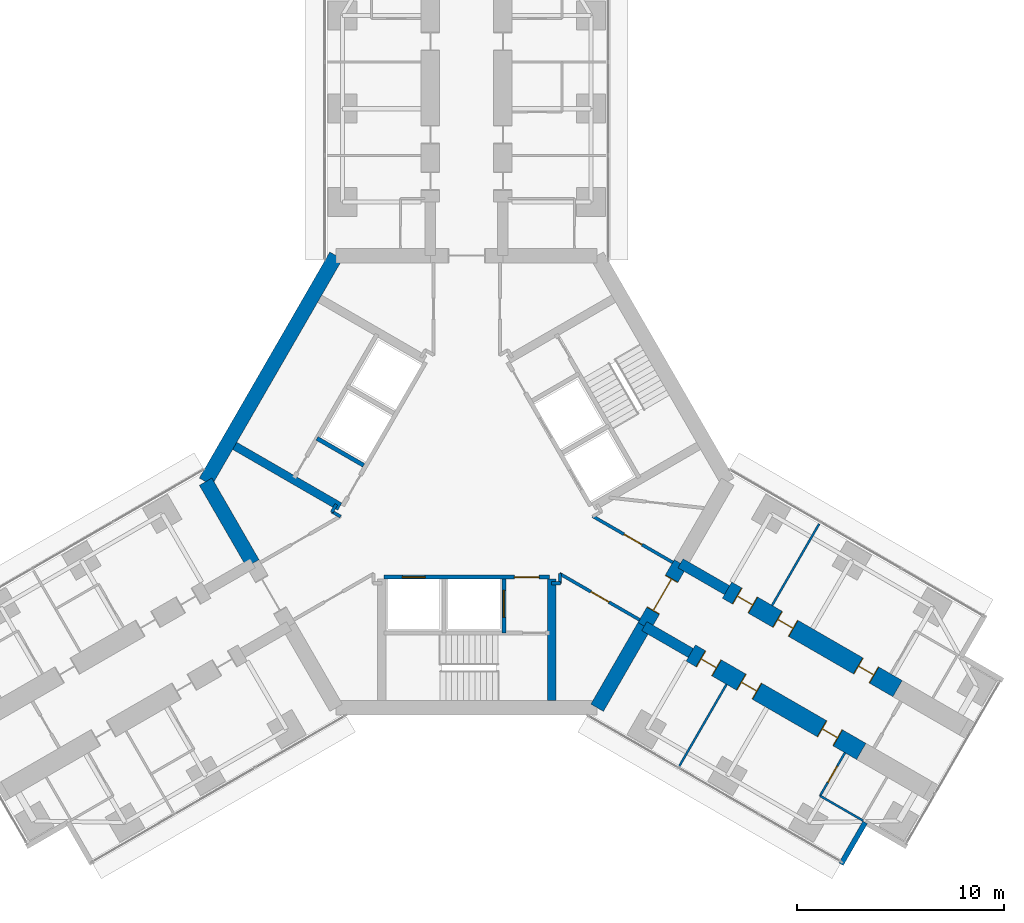
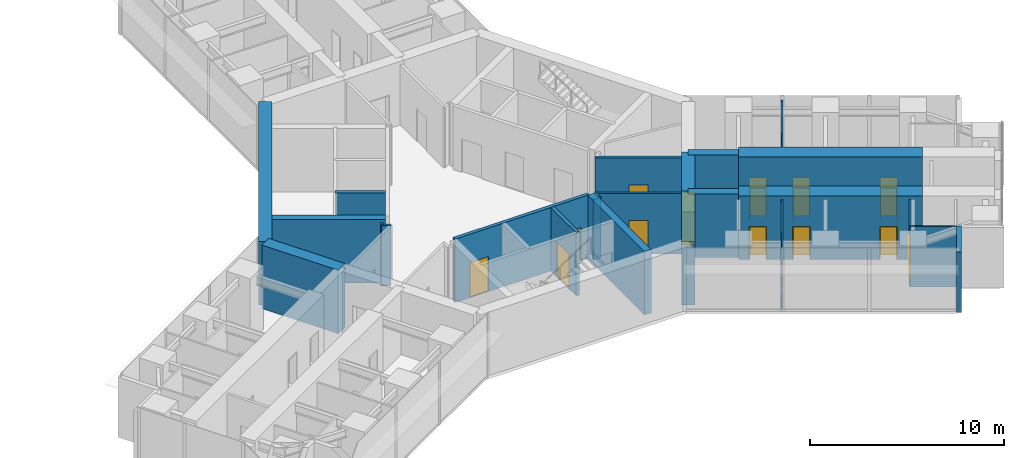
# One storey, part 21 of 25: 24 walls, 13 doors, 13 openings.
"""IFC4 building model written with IfcOpenShell, lengths in metres."""

from ifc_helpers import new_model, si_unit, direction, frame, frame_2d, origin, place, context, subcontext, project, spatial, rectangle, extrude, material, layer, layer_set, type_object, element, fill, save


model = new_model("IFC4")

# Units and contexts
model_context = context("Model", 3, precision=1e-05, world=origin(), true_north=direction((0.0, 1.0)))
body_context = subcontext(model_context, "Body", "Model", "MODEL_VIEW")
ifc_project = project(units=[si_unit("LENGTHUNIT", "METRE"), si_unit("AREAUNIT", "SQUARE_METRE"), si_unit("VOLUMEUNIT", "CUBIC_METRE"), si_unit("PLANEANGLEUNIT", "RADIAN"), si_unit("MASSUNIT", "GRAM", prefix="KILO")], contexts=[model_context])

# Site, building, storey
site_placement = place(None, origin())
site = spatial("IfcSite", under=ifc_project, at=site_placement, CompositionType="ELEMENT")
building_placement = place(site_placement, origin())
building = spatial("IfcBuilding", under=site, at=building_placement, Name="Upepo Twin Towers", CompositionType="ELEMENT")
storey_placement = place(building_placement, frame((0.0, 0.0, 72.5)))
storey = spatial("IfcBuildingStorey", under=building, at=storey_placement, Name="L17", CompositionType="ELEMENT", Elevation=72.5)

# Walls
ifc_material_1 = material(Name="Concrete C60/75", Category="concrete")
ifc_layer_1 = layer(ifc_material_1, 0.5)
ifc_layer_set_1 = layer_set([ifc_layer_1], Name="Concrete C60/75")
wall_type_1 = type_object("IfcWallType", Name="Buttress wall 500 RC", PredefinedType="SHEAR", material=ifc_layer_set_1)
for number, where, z_axis, x_axis, name in (
    (1, (68.82177734375, -21.938720703125, 0.0), (0.0, 0.0, 1.0), (0.866072649678, -0.499918158782, 0.0), "T2 wing C buttress wall L"),
    (2, (67.07177734375, -24.9697265625, 0.0), (0.0, 0.0, 1.0), (0.866031863473, -0.499988811324, 0.0), "T2 wing C buttress wall R"),
):
    element("IfcWall", number, at=place(storey_placement, frame(where, z_axis=z_axis, x_axis=x_axis)), inside=storey, type_object=wall_type_1, Name=name, PredefinedType="SHEAR", context=body_context, shape_type="SweptSolid", body=[
        extrude(rectangle(XDim=2.591796875, YDim=0.5, at=frame_2d((1.2958984375, 0.0))), origin(), (0.0, 0.0, 1.0), 4.0),
    ])

# Wall, openings, doors
ifc_material_2 = material(Name="Concrete C60/75", Category="concrete")
ifc_layer_2 = layer(ifc_material_2, 0.89990234375)
ifc_layer_set_2 = layer_set([ifc_layer_2], Name="Concrete C60/75")
wall_type_2 = type_object("IfcWallType", Name="Buttress wall 900 RC", PredefinedType="SHEAR", material=ifc_layer_set_2)
wall_1_placement = place(storey_placement, frame((71.06640625, -23.234375, 0.0), z_axis=(0.0, 0.0, 1.0), x_axis=(0.86602681393, -0.499997557548, 0.0)))
wall_1 = element("IfcWall", 3, at=wall_1_placement, inside=storey, type_object=wall_type_2, Name="T2 wing C buttress wall L part 2", PredefinedType="SHEAR", context=body_context, shape_type="SweptSolid", body=[
    extrude(rectangle(XDim=9.5, YDim=0.89990234375, at=frame_2d((4.75, 0.0))), origin(), (0.0, 0.0, 1.0), 4.0),
])
opening_1_placement = place(wall_1_placement, frame((0.550048828125, 0.0, 0.0)))
opening_1 = element("IfcOpeningElement", 4, at=opening_1_placement, cuts=wall_1, Name="Opening D14", PredefinedType="OPENING", context=body_context, shape_type="SweptSolid", body=[
    extrude(rectangle(XDim=0.89990234375, YDim=2.10009765625, at=frame_2d((0.449951171875, 1.050048828125))), frame((0.0, 0.4599609375, 0.0), z_axis=(0.0, -1.0, 0.0), x_axis=(1.0, 0.0, 0.0)), (0.0, 0.0, 1.0), 0.919921875),
])
opening_2_placement = place(wall_1_placement, frame((2.800048828125, 0.0, 0.0)))
opening_2 = element("IfcOpeningElement", 5, at=opening_2_placement, cuts=wall_1, Name="Opening D14", PredefinedType="OPENING", context=body_context, shape_type="SweptSolid", body=[
    extrude(rectangle(XDim=0.89990234375, YDim=2.10009765625, at=frame_2d((0.449951171875, 1.050048828125))), frame((0.0, 0.4599609375, 0.0), z_axis=(0.0, -1.0, 0.0), x_axis=(1.0, 0.0, 0.0)), (0.0, 0.0, 1.0), 0.919921875),
])
opening_3_placement = place(wall_1_placement, frame((7.300048828125, 0.0, 0.0)))
opening_3 = element("IfcOpeningElement", 6, at=opening_3_placement, cuts=wall_1, Name="Opening D14", PredefinedType="OPENING", context=body_context, shape_type="SweptSolid", body=[
    extrude(rectangle(XDim=0.89990234375, YDim=2.10009765625, at=frame_2d((0.449951171875, 1.050048828125))), frame((0.0, 0.4599609375, 0.0), z_axis=(0.0, -1.0, 0.0), x_axis=(1.0, 0.0, 0.0)), (0.0, 0.0, 1.0), 0.919921875),
])
ifc_material_3 = material(Name="Timber doorset", Category="wood")
door_type_1 = type_object("IfcDoorType", Name="Office door 900 FD30", OperationType="SINGLE_SWING_LEFT", PredefinedType="DOOR", material=ifc_material_3)
door_1_placement = place(opening_1_placement, origin())
door_1 = element("IfcDoor", 7, at=door_1_placement, inside=storey, type_object=door_type_1, Name="T2 L17 staff office door", OperationType="SINGLE_SWING_LEFT", OverallHeight=2.10009765625, OverallWidth=0.89990234375, PredefinedType="DOOR", context=body_context, shape_type="SweptSolid", body=[
    extrude(rectangle(XDim=0.81990234375, YDim=2.06009765625, at=frame_2d((0.449951171875, 1.030029296875))), frame((0.0, 0.02490234375, 0.0), z_axis=(0.0, -1.0, 0.0), x_axis=(1.0, 0.0, 0.0)), (0.0, 0.0, 1.0), 0.050048828125),
    extrude(rectangle(XDim=0.04, YDim=2.10009765625, at=frame_2d((0.02001953125, 1.050048828125))), frame((0.0, 0.44970703125, 0.0), z_axis=(0.0, -1.0, 0.0), x_axis=(1.0, 0.0, 0.0)), (0.0, 0.0, 1.0), 0.8994140625),
    extrude(rectangle(XDim=0.04, YDim=2.10009765625, at=frame_2d((0.8798828125, 1.050048828125))), frame((0.0, 0.44970703125, 0.0), z_axis=(0.0, -1.0, 0.0), x_axis=(1.0, 0.0, 0.0)), (0.0, 0.0, 1.0), 0.8994140625),
    extrude(rectangle(XDim=0.81990234375, YDim=0.04, at=frame_2d((0.449951171875, 2.080078125))), frame((0.0, 0.44970703125, 0.0), z_axis=(0.0, -1.0, 0.0), x_axis=(1.0, 0.0, 0.0)), (0.0, 0.0, 1.0), 0.8994140625),
])
fill(opening_1, door_1)
door_2_placement = place(opening_2_placement, origin())
door_2 = element("IfcDoor", 8, at=door_2_placement, inside=storey, type_object=door_type_1, Name="T2 L17 open-plan staff office door", OperationType="SINGLE_SWING_LEFT", OverallHeight=2.10009765625, OverallWidth=0.89990234375, PredefinedType="DOOR", context=body_context, shape_type="SweptSolid", body=[
    extrude(rectangle(XDim=0.81990234375, YDim=2.06009765625, at=frame_2d((0.449951171875, 1.030029296875))), frame((0.0, 0.02490234375, 0.0), z_axis=(0.0, -1.0, 0.0), x_axis=(1.0, 0.0, 0.0)), (0.0, 0.0, 1.0), 0.050048828125),
    extrude(rectangle(XDim=0.04, YDim=2.10009765625, at=frame_2d((0.02001953125, 1.050048828125))), frame((0.0, 0.44970703125, 0.0), z_axis=(0.0, -1.0, 0.0), x_axis=(1.0, 0.0, 0.0)), (0.0, 0.0, 1.0), 0.8994140625),
    extrude(rectangle(XDim=0.04, YDim=2.10009765625, at=frame_2d((0.8798828125, 1.050048828125))), frame((0.0, 0.44970703125, 0.0), z_axis=(0.0, -1.0, 0.0), x_axis=(1.0, 0.0, 0.0)), (0.0, 0.0, 1.0), 0.8994140625),
    extrude(rectangle(XDim=0.81990234375, YDim=0.04, at=frame_2d((0.449951171875, 2.080078125))), frame((0.0, 0.44970703125, 0.0), z_axis=(0.0, -1.0, 0.0), x_axis=(1.0, 0.0, 0.0)), (0.0, 0.0, 1.0), 0.8994140625),
])
fill(opening_2, door_2)
door_3_placement = place(opening_3_placement, origin())
door_3 = element("IfcDoor", 9, at=door_3_placement, inside=storey, type_object=door_type_1, Name="T2 L17 open-plan staff office door", OperationType="SINGLE_SWING_RIGHT", OverallHeight=2.10009765625, OverallWidth=0.89990234375, PredefinedType="DOOR", context=body_context, shape_type="SweptSolid", body=[
    extrude(rectangle(XDim=0.81990234375, YDim=2.06009765625, at=frame_2d((0.449951171875, 1.030029296875))), frame((0.0, 0.02490234375, 0.0), z_axis=(0.0, -1.0, 0.0), x_axis=(1.0, 0.0, 0.0)), (0.0, 0.0, 1.0), 0.050048828125),
    extrude(rectangle(XDim=0.04, YDim=2.10009765625, at=frame_2d((0.02001953125, 1.050048828125))), frame((0.0, 0.44970703125, 0.0), z_axis=(0.0, -1.0, 0.0), x_axis=(1.0, 0.0, 0.0)), (0.0, 0.0, 1.0), 0.8994140625),
    extrude(rectangle(XDim=0.04, YDim=2.10009765625, at=frame_2d((0.8798828125, 1.050048828125))), frame((0.0, 0.44970703125, 0.0), z_axis=(0.0, -1.0, 0.0), x_axis=(1.0, 0.0, 0.0)), (0.0, 0.0, 1.0), 0.8994140625),
    extrude(rectangle(XDim=0.81990234375, YDim=0.04, at=frame_2d((0.449951171875, 2.080078125))), frame((0.0, 0.44970703125, 0.0), z_axis=(0.0, -1.0, 0.0), x_axis=(1.0, 0.0, 0.0)), (0.0, 0.0, 1.0), 0.8994140625),
])
fill(opening_3, door_3)

wall_2_placement = place(storey_placement, frame((69.31640625, -26.265625, 0.0), z_axis=(0.0, 0.0, 1.0), x_axis=(0.86602681393, -0.499997557548, 0.0)))
wall_2 = element("IfcWall", 10, at=wall_2_placement, inside=storey, type_object=wall_type_2, Name="T2 wing C buttress wall R part 2", PredefinedType="SHEAR", context=body_context, shape_type="SweptSolid", body=[
    extrude(rectangle(XDim=9.5, YDim=0.89990234375, at=frame_2d((4.75, 0.0))), origin(), (0.0, 0.0, 1.0), 4.0),
])
opening_4_placement = place(wall_2_placement, frame((0.550048828125, 0.0, 0.0)))
opening_4 = element("IfcOpeningElement", 11, at=opening_4_placement, cuts=wall_2, Name="Opening D14", PredefinedType="OPENING", context=body_context, shape_type="SweptSolid", body=[
    extrude(rectangle(XDim=0.89990234375, YDim=2.10009765625, at=frame_2d((0.449951171875, 1.050048828125))), frame((0.0, 0.4599609375, 0.0), z_axis=(0.0, -1.0, 0.0), x_axis=(1.0, 0.0, 0.0)), (0.0, 0.0, 1.0), 0.919921875),
])
opening_5_placement = place(wall_2_placement, frame((2.800048828125, 0.0, 0.0)))
opening_5 = element("IfcOpeningElement", 12, at=opening_5_placement, cuts=wall_2, Name="Opening D14", PredefinedType="OPENING", context=body_context, shape_type="SweptSolid", body=[
    extrude(rectangle(XDim=0.89990234375, YDim=2.10009765625, at=frame_2d((0.449951171875, 1.050048828125))), frame((0.0, 0.4599609375, 0.0), z_axis=(0.0, -1.0, 0.0), x_axis=(1.0, 0.0, 0.0)), (0.0, 0.0, 1.0), 0.919921875),
])
opening_6_placement = place(wall_2_placement, frame((7.300048828125, 0.0, 0.0)))
opening_6 = element("IfcOpeningElement", 13, at=opening_6_placement, cuts=wall_2, Name="Opening D14", PredefinedType="OPENING", context=body_context, shape_type="SweptSolid", body=[
    extrude(rectangle(XDim=0.89990234375, YDim=2.10009765625, at=frame_2d((0.449951171875, 1.050048828125))), frame((0.0, 0.4599609375, 0.0), z_axis=(0.0, -1.0, 0.0), x_axis=(1.0, 0.0, 0.0)), (0.0, 0.0, 1.0), 0.919921875),
])
door_4_placement = place(opening_4_placement, origin())
door_4 = element("IfcDoor", 14, at=door_4_placement, inside=storey, type_object=door_type_1, Name="T2 L17 postgraduate office door", OperationType="SINGLE_SWING_LEFT", OverallHeight=2.10009765625, OverallWidth=0.89990234375, PredefinedType="DOOR", context=body_context, shape_type="SweptSolid", body=[
    extrude(rectangle(XDim=0.81990234375, YDim=2.06009765625, at=frame_2d((0.449951171875, 1.030029296875))), frame((0.0, 0.02490234375, 0.0), z_axis=(0.0, -1.0, 0.0), x_axis=(1.0, 0.0, 0.0)), (0.0, 0.0, 1.0), 0.050048828125),
    extrude(rectangle(XDim=0.04, YDim=2.10009765625, at=frame_2d((0.02001953125, 1.050048828125))), frame((0.0, 0.44970703125, 0.0), z_axis=(0.0, -1.0, 0.0), x_axis=(1.0, 0.0, 0.0)), (0.0, 0.0, 1.0), 0.8994140625),
    extrude(rectangle(XDim=0.04, YDim=2.10009765625, at=frame_2d((0.8798828125, 1.050048828125))), frame((0.0, 0.44970703125, 0.0), z_axis=(0.0, -1.0, 0.0), x_axis=(1.0, 0.0, 0.0)), (0.0, 0.0, 1.0), 0.8994140625),
    extrude(rectangle(XDim=0.81990234375, YDim=0.04, at=frame_2d((0.449951171875, 2.080078125))), frame((0.0, 0.44970703125, 0.0), z_axis=(0.0, -1.0, 0.0), x_axis=(1.0, 0.0, 0.0)), (0.0, 0.0, 1.0), 0.8994140625),
])
fill(opening_4, door_4)
door_5_placement = place(opening_5_placement, origin())
door_5 = element("IfcDoor", 15, at=door_5_placement, inside=storey, type_object=door_type_1, Name="T2 L17 open-plan staff office door", OperationType="SINGLE_SWING_LEFT", OverallHeight=2.10009765625, OverallWidth=0.89990234375, PredefinedType="DOOR", context=body_context, shape_type="SweptSolid", body=[
    extrude(rectangle(XDim=0.81990234375, YDim=2.06009765625, at=frame_2d((0.449951171875, 1.030029296875))), frame((0.0, 0.02490234375, 0.0), z_axis=(0.0, -1.0, 0.0), x_axis=(1.0, 0.0, 0.0)), (0.0, 0.0, 1.0), 0.050048828125),
    extrude(rectangle(XDim=0.04, YDim=2.10009765625, at=frame_2d((0.02001953125, 1.050048828125))), frame((0.0, 0.44970703125, 0.0), z_axis=(0.0, -1.0, 0.0), x_axis=(1.0, 0.0, 0.0)), (0.0, 0.0, 1.0), 0.8994140625),
    extrude(rectangle(XDim=0.04, YDim=2.10009765625, at=frame_2d((0.8798828125, 1.050048828125))), frame((0.0, 0.44970703125, 0.0), z_axis=(0.0, -1.0, 0.0), x_axis=(1.0, 0.0, 0.0)), (0.0, 0.0, 1.0), 0.8994140625),
    extrude(rectangle(XDim=0.81990234375, YDim=0.04, at=frame_2d((0.449951171875, 2.080078125))), frame((0.0, 0.44970703125, 0.0), z_axis=(0.0, -1.0, 0.0), x_axis=(1.0, 0.0, 0.0)), (0.0, 0.0, 1.0), 0.8994140625),
])
fill(opening_5, door_5)
door_6_placement = place(opening_6_placement, origin())
door_6 = element("IfcDoor", 16, at=door_6_placement, inside=storey, type_object=door_type_1, Name="T2 L17 open-plan staff office door", OperationType="SINGLE_SWING_RIGHT", OverallHeight=2.10009765625, OverallWidth=0.89990234375, PredefinedType="DOOR", context=body_context, shape_type="SweptSolid", body=[
    extrude(rectangle(XDim=0.81990234375, YDim=2.06009765625, at=frame_2d((0.449951171875, 1.030029296875))), frame((0.0, 0.02490234375, 0.0), z_axis=(0.0, -1.0, 0.0), x_axis=(1.0, 0.0, 0.0)), (0.0, 0.0, 1.0), 0.050048828125),
    extrude(rectangle(XDim=0.04, YDim=2.10009765625, at=frame_2d((0.02001953125, 1.050048828125))), frame((0.0, 0.44970703125, 0.0), z_axis=(0.0, -1.0, 0.0), x_axis=(1.0, 0.0, 0.0)), (0.0, 0.0, 1.0), 0.8994140625),
    extrude(rectangle(XDim=0.04, YDim=2.10009765625, at=frame_2d((0.8798828125, 1.050048828125))), frame((0.0, 0.44970703125, 0.0), z_axis=(0.0, -1.0, 0.0), x_axis=(1.0, 0.0, 0.0)), (0.0, 0.0, 1.0), 0.8994140625),
    extrude(rectangle(XDim=0.81990234375, YDim=0.04, at=frame_2d((0.449951171875, 2.080078125))), frame((0.0, 0.44970703125, 0.0), z_axis=(0.0, -1.0, 0.0), x_axis=(1.0, 0.0, 0.0)), (0.0, 0.0, 1.0), 0.8994140625),
])
fill(opening_6, door_6)

# Walls
ifc_material_4 = material(Name="Concrete C60/75", Category="concrete")
ifc_layer_3 = layer(ifc_material_4, 0.699951171875)
ifc_layer_set_3 = layer_set([ifc_layer_3], Name="Concrete C60/75")
wall_type_3 = type_object("IfcWallType", Name="Core wall 700 RC", PredefinedType="SHEAR", material=ifc_layer_set_3)
wall_3_placement = place(storey_placement, frame((52.2021484375, -7.091552734375, 0.0), z_axis=(0.0, 0.0, 1.0), x_axis=(-0.500005998175, -0.866021940709, 0.0)))
element("IfcWall", 17, at=wall_3_placement, inside=storey, type_object=wall_type_3, Name="T2 core wall 060", PredefinedType="SHEAR", context=body_context, shape_type="SweptSolid", body=[
    extrude(rectangle(XDim=12.595947265625, YDim=0.699951171875, at=frame_2d((6.2978515625, 0.0))), origin(), (0.0, 0.0, 1.0), 4.0),
])
for number, where, z_axis, x_axis, name in (
    (18, (45.904052734375, -18.0, 0.0), (0.0, 0.0, 1.0), (0.500024481964, -0.866011268655, 0.0), "T2 core wall 120 R"),
    (19, (64.7978515625, -28.908447265625, 0.0), (0.0, 0.0, 1.0), (0.499984222037, 0.866034513004, 0.0), "T2 core wall 240 R"),
):
    element("IfcWall", number, at=place(storey_placement, frame(where, z_axis=z_axis, x_axis=x_axis)), inside=storey, type_object=wall_type_3, Name=name, PredefinedType="SHEAR", context=body_context, shape_type="SweptSolid", body=[
        extrude(rectangle(XDim=4.548095703125, YDim=0.699951171875, at=frame_2d((2.27392578125, 0.0))), origin(), (0.0, 0.0, 1.0), 4.0),
    ])

# Wall, opening, door
wall_4_placement = place(storey_placement, frame((67.07177734375, -24.9697265625, 0.0), z_axis=(0.0, 0.0, 1.0), x_axis=(0.500010275428, 0.866019471182, 0.0)))
wall_4 = element("IfcWall", 20, at=wall_4_placement, inside=storey, type_object=wall_type_3, Name="T2 core wall 240", PredefinedType="SHEAR", context=body_context, shape_type="SweptSolid", body=[
    extrude(rectangle(XDim=3.5, YDim=0.699951171875, at=frame_2d((1.75, 0.0))), origin(), (0.0, 0.0, 1.0), 4.0),
])
opening_7_placement = place(wall_4_placement, frame((0.85009765625, 0.0, 0.0)))
opening_7 = element("IfcOpeningElement", 21, at=opening_7_placement, cuts=wall_4, Name="Opening D2", PredefinedType="OPENING", context=body_context, shape_type="SweptSolid", body=[
    extrude(rectangle(XDim=1.800048828125, YDim=2.10009765625, at=frame_2d((0.89990234375, 1.050048828125))), frame((0.0, 0.35986328125, 0.0), z_axis=(0.0, -1.0, 0.0), x_axis=(1.0, 0.0, 0.0)), (0.0, 0.0, 1.0), 0.719970703125),
])
ifc_material_5 = material(Name="Timber doorset", Category="wood")
door_type_2 = type_object("IfcDoorType", Name="Corridor double door 1800 FD60", OperationType="DOUBLE_DOOR_DOUBLE_SWING", PredefinedType="DOOR", material=ifc_material_5)
door_7_placement = place(opening_7_placement, origin())
door_7 = element("IfcDoor", 22, at=door_7_placement, inside=storey, type_object=door_type_2, Name="T2 L17 wing C corridor door", OperationType="DOUBLE_DOOR_DOUBLE_SWING", OverallHeight=2.10009765625, OverallWidth=1.800048828125, PredefinedType="DOOR", context=body_context, shape_type="SweptSolid", body=[
    extrude(rectangle(XDim=1.720048828125, YDim=2.06009765625, at=frame_2d((0.89990234375, 1.030029296875))), frame((0.0, 0.02490234375, 0.0), z_axis=(0.0, -1.0, 0.0), x_axis=(1.0, 0.0, 0.0)), (0.0, 0.0, 1.0), 0.050048828125),
    extrude(rectangle(XDim=0.04, YDim=2.10009765625, at=frame_2d((0.02001953125, 1.050048828125))), frame((0.0, 0.349609375, 0.0), z_axis=(0.0, -1.0, 0.0), x_axis=(1.0, 0.0, 0.0)), (0.0, 0.0, 1.0), 0.699462890625),
    extrude(rectangle(XDim=0.04, YDim=2.10009765625, at=frame_2d((1.780029296875, 1.050048828125))), frame((0.0, 0.349609375, 0.0), z_axis=(0.0, -1.0, 0.0), x_axis=(1.0, 0.0, 0.0)), (0.0, 0.0, 1.0), 0.699462890625),
    extrude(rectangle(XDim=1.720048828125, YDim=0.04, at=frame_2d((0.89990234375, 2.080078125))), frame((0.0, 0.349609375, 0.0), z_axis=(0.0, -1.0, 0.0), x_axis=(1.0, 0.0, 0.0)), (0.0, 0.0, 1.0), 0.699462890625),
])
fill(opening_7, door_7)

# Walls
ifc_material_6 = material(Name="Blockwork with anodised aluminium cladding", Category="masonry")
ifc_layer_4 = layer(ifc_material_6, 0.25)
ifc_layer_set_4 = layer_set([ifc_layer_4], Name="Notch cladding wall 250, pale metal")
wall_type_4 = type_object("IfcWallType", Name="Notch cladding wall 250, pale metal", PredefinedType="STANDARD", material=ifc_layer_set_4)
wall_5_placement = place(storey_placement, frame((76.5673828125, -36.456298828125, 0.0), z_axis=(0.0, 0.0, 1.0), x_axis=(0.500046648681, 0.865998469481, 0.0)))
element("IfcWall", 23, at=wall_5_placement, inside=storey, type_object=wall_type_4, Name="T2 L17 wing C notch wall R1", PredefinedType="STANDARD", context=body_context, shape_type="SweptSolid", body=[
    extrude(rectangle(XDim=2.324951171875, YDim=0.25, at=frame_2d((1.16259765625, 0.0))), origin(), (0.0, 0.0, 1.0), 3.800048828125),
])
ifc_material_7 = material(Name="Gypsum board on steel studs", Category="steel")
ifc_layer_5 = layer(ifc_material_7, 0.10009765625)
ifc_layer_set_5 = layer_set([ifc_layer_5], Name="Office partition 100 stud")
wall_type_5 = type_object("IfcWallType", Name="Office partition 100 stud", PredefinedType="PARTITIONING", material=ifc_layer_set_5)
for number, where, z_axis, x_axis, name in (
    (24, (73.239990234375, -23.9697265625, 0.0), (0.0, 0.0, 1.0), (0.499982560684, 0.866035472144, 0.0), "T2 partition CL at 15.75"),
    (25, (71.039794921875, -27.7802734375, 0.0), (0.0, 0.0, 1.0), (-0.499982560684, -0.866035472144, 0.0), "T2 partition CR at 15.75"),
):
    element("IfcWall", number, at=place(storey_placement, frame(where, z_axis=z_axis, x_axis=x_axis)), inside=storey, type_object=wall_type_5, Name=name, PredefinedType="PARTITIONING", context=body_context, shape_type="SweptSolid", body=[
        extrude(rectangle(XDim=4.550048828125, YDim=0.10009765625, at=frame_2d((2.27490234375, 0.0))), origin(), (0.0, 0.0, 1.0), 3.800048828125),
    ])
wall_6_placement = place(storey_placement, frame((75.5556640625, -33.15869140625, 0.0), z_axis=(0.0, 0.0, 1.0), x_axis=(0.866024647952, -0.500001309137, 0.0)))
element("IfcWall", 26, at=wall_6_placement, inside=storey, type_object=wall_type_5, Name="T2 inner room partition CR at 22.35", PredefinedType="PARTITIONING", context=body_context, shape_type="SweptSolid", body=[
    extrude(rectangle(XDim=2.39990234375, YDim=0.10009765625, at=frame_2d((1.199951171875, 0.0))), origin(), (0.0, 0.0, 1.0), 3.800048828125),
])

# Wall, opening, door
wall_7_placement = place(storey_placement, frame((76.755615234375, -31.080322265625, 0.0), z_axis=(0.0, 0.0, 1.0), x_axis=(-0.500001309137, -0.866024647952, 0.0)))
wall_7 = element("IfcWall", 27, at=wall_7_placement, inside=storey, type_object=wall_type_5, Name="T2 inner room partition CR end at 22.35", PredefinedType="PARTITIONING", context=body_context, shape_type="SweptSolid", body=[
    extrude(rectangle(XDim=2.39990234375, YDim=0.10009765625, at=frame_2d((1.199951171875, 0.0))), origin(), (0.0, 0.0, 1.0), 3.800048828125),
])
opening_8_placement = place(wall_7_placement, frame((0.75, 0.0, 0.0)))
opening_8 = element("IfcOpeningElement", 28, at=opening_8_placement, cuts=wall_7, Name="Opening D14", PredefinedType="OPENING", context=body_context, shape_type="SweptSolid", body=[
    extrude(rectangle(XDim=0.89990234375, YDim=2.10009765625, at=frame_2d((0.449951171875, 1.050048828125))), frame((0.0, 0.06005859375, 0.0), z_axis=(0.0, -1.0, 0.0), x_axis=(1.0, 0.0, 0.0)), (0.0, 0.0, 1.0), 0.1201171875),
])
door_8_placement = place(opening_8_placement, origin())
door_8 = element("IfcDoor", 29, at=door_8_placement, inside=storey, type_object=door_type_1, Name="T2 L17 inner room door", OperationType="SINGLE_SWING_LEFT", OverallHeight=2.10009765625, OverallWidth=0.89990234375, PredefinedType="DOOR", context=body_context, shape_type="SweptSolid", body=[
    extrude(rectangle(XDim=0.89990234375, YDim=2.10009765625, at=frame_2d((0.449951171875, 1.050048828125))), frame((0.0, 0.02490234375, 0.0), z_axis=(0.0, -1.0, 0.0), x_axis=(1.0, 0.0, 0.0)), (0.0, 0.0, 1.0), 0.050048828125),
])
fill(opening_8, door_8)

# Wall
ifc_material_8 = material(Name="Concrete C40/50", Category="concrete")
ifc_layer_6 = layer(ifc_material_8, 0.199951171875)
ifc_layer_set_6 = layer_set([ifc_layer_6], Name="Concrete C40/50")
wall_type_6 = type_object("IfcWallType", Name="Shaft wall 200 RC", PredefinedType="SHEAR", material=ifc_layer_set_6)
wall_8_placement = place(storey_placement, frame((53.52978515625, -17.208740234375, 0.0), z_axis=(0.0, 0.0, 1.0), x_axis=(-0.866062058628, 0.499936506574, 0.0)))
element("IfcWall", 30, at=wall_8_placement, inside=storey, type_object=wall_type_6, Name="T2 core W60 lobby wall", PredefinedType="SHEAR", context=body_context, shape_type="SweptSolid", body=[
    extrude(rectangle(XDim=2.599853515625, YDim=0.199951171875, at=frame_2d((1.2998046875, 0.0))), origin(), (0.0, 0.0, 1.0), 4.0),
])

# Wall, openings, doors
wall_9_placement = place(storey_placement, frame((54.5, -22.60009765625, 0.0), z_axis=(0.0, 0.0, 1.0), x_axis=(1.0, 0.0, 0.0)))
wall_9 = element("IfcWall", 31, at=wall_9_placement, inside=storey, type_object=wall_type_6, Name="T2 core W180 front wall", PredefinedType="SHEAR", context=body_context, shape_type="SweptSolid", body=[
    extrude(rectangle(XDim=8.0, YDim=0.199951171875, at=frame_2d((4.0, 0.0))), origin(), (0.0, 0.0, 1.0), 4.0),
])
opening_9_placement = place(wall_9_placement, frame((6.300048828125, 0.0, 0.0)))
opening_9 = element("IfcOpeningElement", 32, at=opening_9_placement, cuts=wall_9, Name="Opening D4", PredefinedType="OPENING", context=body_context, shape_type="SweptSolid", body=[
    extrude(rectangle(XDim=1.199951171875, YDim=2.10009765625, at=frame_2d((0.60009765625, 1.050048828125))), frame((0.0, 0.10986328125, 0.0), z_axis=(0.0, -1.0, 0.0), x_axis=(1.0, 0.0, 0.0)), (0.0, 0.0, 1.0), 0.219970703125),
])
opening_10_placement = place(wall_9_placement, frame((0.89990234375, 0.0, 0.0)))
opening_10 = element("IfcOpeningElement", 33, at=opening_10_placement, cuts=wall_9, Name="Opening LD1", PredefinedType="OPENING", context=body_context, shape_type="SweptSolid", body=[
    extrude(rectangle(XDim=1.10009765625, YDim=2.199951171875, at=frame_2d((0.550048828125, 1.10009765625))), frame((0.0, 0.10986328125, 0.0), z_axis=(0.0, -1.0, 0.0), x_axis=(1.0, 0.0, 0.0)), (0.0, 0.0, 1.0), 0.219970703125),
])
ifc_material_9 = material(Name="Steel doorset", Category="steel")
door_type_3 = type_object("IfcDoorType", Name="Lift landing door 1100", OperationType="DOUBLE_DOOR_SLIDING", PredefinedType="DOOR", material=ifc_material_9)
door_9_placement = place(opening_10_placement, origin())
door_9 = element("IfcDoor", 34, at=door_9_placement, inside=storey, type_object=door_type_3, Name="T2 L17 lift SV1 landing door", OperationType="DOUBLE_DOOR_SLIDING", OverallHeight=2.199951171875, OverallWidth=1.10009765625, PredefinedType="DOOR", context=body_context, shape_type="SweptSolid", body=[
    extrude(rectangle(XDim=1.10009765625, YDim=2.199951171875, at=frame_2d((0.550048828125, 1.10009765625))), frame((0.0, 0.02490234375, 0.0), z_axis=(0.0, -1.0, 0.0), x_axis=(1.0, 0.0, 0.0)), (0.0, 0.0, 1.0), 0.050048828125),
])
fill(opening_10, door_9)
ifc_material_10 = material(Name="Timber doorset", Category="wood")
door_type_4 = type_object("IfcDoorType", Name="Lobby door 1200 FD60", OperationType="SINGLE_SWING_LEFT", PredefinedType="DOOR", material=ifc_material_10)
door_10_placement = place(opening_9_placement, origin())
door_10 = element("IfcDoor", 35, at=door_10_placement, inside=storey, type_object=door_type_4, Name="T2 L17 W180 lobby door", OperationType="SINGLE_SWING_RIGHT", OverallHeight=2.10009765625, OverallWidth=1.199951171875, PredefinedType="DOOR", context=body_context, shape_type="SweptSolid", body=[
    extrude(rectangle(XDim=1.199951171875, YDim=2.10009765625, at=frame_2d((0.60009765625, 1.050048828125))), frame((0.0, 0.02490234375, 0.0), z_axis=(0.0, -1.0, 0.0), x_axis=(1.0, 0.0, 0.0)), (0.0, 0.0, 1.0), 0.050048828125),
])
fill(opening_9, door_10)

# Wall, opening, door
wall_10_placement = place(storey_placement, frame((60.300048828125, -22.699951171875, 0.0), z_axis=(0.0, 0.0, 1.0), x_axis=(0.0, -1.0, 0.0)))
wall_10 = element("IfcWall", 36, at=wall_10_placement, inside=storey, type_object=wall_type_6, Name="T2 core W180 lobby wall", PredefinedType="SHEAR", context=body_context, shape_type="SweptSolid", body=[
    extrude(rectangle(XDim=2.60009765625, YDim=0.199951171875, at=frame_2d((1.300048828125, 0.0))), origin(), (0.0, 0.0, 1.0), 4.0),
])
opening_11_placement = place(wall_10_placement, frame((0.550048828125, 0.0, 0.0)))
opening_11 = element("IfcOpeningElement", 37, at=opening_11_placement, cuts=wall_10, Name="Opening LD2", PredefinedType="OPENING", context=body_context, shape_type="SweptSolid", body=[
    extrude(rectangle(XDim=1.300048828125, YDim=2.199951171875, at=frame_2d((0.64990234375, 1.10009765625))), frame((0.0, 0.10986328125, 0.0), z_axis=(0.0, -1.0, 0.0), x_axis=(1.0, 0.0, 0.0)), (0.0, 0.0, 1.0), 0.219970703125),
])
ifc_material_11 = material(Name="Steel doorset", Category="steel")
door_type_5 = type_object("IfcDoorType", Name="Firefighting lift landing door 1300", OperationType="DOUBLE_DOOR_SLIDING", PredefinedType="DOOR", material=ifc_material_11)
door_11_placement = place(opening_11_placement, origin())
door_11 = element("IfcDoor", 38, at=door_11_placement, inside=storey, type_object=door_type_5, Name="T2 L17 firefighting lift landing door", OperationType="DOUBLE_DOOR_SLIDING", OverallHeight=2.199951171875, OverallWidth=1.300048828125, PredefinedType="DOOR", context=body_context, shape_type="SweptSolid", body=[
    extrude(rectangle(XDim=1.300048828125, YDim=2.199951171875, at=frame_2d((0.64990234375, 1.10009765625))), frame((0.0, 0.02490234375, 0.0), z_axis=(0.0, -1.0, 0.0), x_axis=(1.0, 0.0, 0.0)), (0.0, 0.0, 1.0), 0.050048828125),
])
fill(opening_11, door_11)

# Walls
ifc_material_12 = material(Name="Concrete C40/50", Category="concrete")
ifc_layer_7 = layer(ifc_material_12, 0.39990234375)
ifc_layer_set_7 = layer_set([ifc_layer_7], Name="Concrete C40/50")
wall_type_7 = type_object("IfcWallType", Name="Shaft wall 400 RC", PredefinedType="SHEAR", material=ifc_layer_set_7)
for number, where, z_axis, x_axis, name in (
    (39, (52.379638671875, -19.20068359375, 0.0), (0.0, 0.0, 1.0), (-0.866023886965, 0.500002627198, 0.0), "T2 core W60 side wall N"),
    (40, (62.60009765625, -22.699951171875, 0.0), (0.0, 0.0, 1.0), (0.0, -1.0, 0.0), "T2 core W180 side wall N"),
):
    element("IfcWall", number, at=place(storey_placement, frame(where, z_axis=z_axis, x_axis=x_axis)), inside=storey, type_object=wall_type_7, Name=name, PredefinedType="SHEAR", context=body_context, shape_type="SweptSolid", body=[
        extrude(rectangle(XDim=5.8583984375, YDim=0.39990234375, at=frame_2d((2.92919921875, 0.0))), origin(), (0.0, 0.0, 1.0), 4.0),
    ])
ifc_material_13 = material(Name="Gypsum board on steel studs", Category="steel")
ifc_layer_8 = layer(ifc_material_13, 0.14990234375)
ifc_layer_set_8 = layer_set([ifc_layer_8], Name="Teaching partition 150 acoustic")
wall_type_8 = type_object("IfcWallType", Name="Teaching partition 150 acoustic", PredefinedType="PARTITIONING", material=ifc_layer_set_8)
wall_11_placement = place(storey_placement, frame((52.417236328125, -19.684326171875, 0.0), z_axis=(0.0, 0.0, 1.0), x_axis=(-0.865831790172, 0.50033519877, 0.0)))
element("IfcWall", 41, at=wall_11_placement, inside=storey, type_object=wall_type_8, Name="T2 core room partition 4", PredefinedType="PARTITIONING", context=body_context, shape_type="SweptSolid", body=[
    extrude(rectangle(XDim=0.494384765625, YDim=0.14990234375, at=frame_2d((0.2470703125, 0.0))), origin(), (0.0, 0.0, 1.0), 3.800048828125),
])
wall_12_placement = place(storey_placement, frame((51.99658203125, -19.46435546875, 0.0), z_axis=(0.0, 0.0, 1.0), x_axis=(0.499804398801, 0.866138304741, 0.0)))
element("IfcWall", 42, at=wall_12_placement, inside=storey, type_object=wall_type_8, Name="T2 core room partition 5", PredefinedType="PARTITIONING", context=body_context, shape_type="SweptSolid", body=[
    extrude(rectangle(XDim=0.429931640625, YDim=0.14990234375, at=frame_2d((0.21484375, 0.0))), origin(), (0.0, 0.0, 1.0), 3.800048828125),
])

# Wall, opening, door
wall_13_placement = place(storey_placement, frame((64.582763671875, -19.664306640625, 0.0), z_axis=(0.0, 0.0, 1.0), x_axis=(0.866025445582, -0.499999927604, 0.0)))
wall_13 = element("IfcWall", 43, at=wall_13_placement, inside=storey, type_object=wall_type_8, Name="T2 core room partition 14", PredefinedType="PARTITIONING", context=body_context, shape_type="SweptSolid", body=[
    extrude(rectangle(XDim=4.46826171875, YDim=0.14990234375, at=frame_2d((2.234130859375, 0.0))), origin(), (0.0, 0.0, 1.0), 3.800048828125),
])
opening_12_placement = place(wall_13_placement, frame((1.744384765625, 0.0, 0.0)))
opening_12 = element("IfcOpeningElement", 44, at=opening_12_placement, cuts=wall_13, Name="Opening D1", PredefinedType="OPENING", context=body_context, shape_type="SweptSolid", body=[
    extrude(rectangle(XDim=1.0, YDim=2.10009765625, at=frame_2d((0.5, 1.050048828125))), frame((0.0, 0.0849609375, 0.0), z_axis=(0.0, -1.0, 0.0), x_axis=(1.0, 0.0, 0.0)), (0.0, 0.0, 1.0), 0.169921875),
])
ifc_material_14 = material(Name="Timber doorset", Category="wood")
door_type_6 = type_object("IfcDoorType", Name="Room door 1000 FD30", OperationType="SINGLE_SWING_LEFT", PredefinedType="DOOR", material=ifc_material_14)
door_12_placement = place(opening_12_placement, origin())
door_12 = element("IfcDoor", 45, at=door_12_placement, inside=storey, type_object=door_type_6, Name="T2 L17 core room door K4", OperationType="SINGLE_SWING_RIGHT", OverallHeight=2.10009765625, OverallWidth=1.0, PredefinedType="DOOR", context=body_context, shape_type="SweptSolid", body=[
    extrude(rectangle(XDim=1.0, YDim=2.10009765625, at=frame_2d((0.5, 1.050048828125))), frame((0.0, 0.02490234375, 0.0), z_axis=(0.0, -1.0, 0.0), x_axis=(1.0, 0.0, 0.0)), (0.0, 0.0, 1.0), 0.050048828125),
])
fill(opening_12, door_12)

wall_14_placement = place(storey_placement, frame((66.8525390625, -24.669921875, 0.0), z_axis=(0.0, 0.0, 1.0), x_axis=(-0.866015446554, 0.500017246033, 0.0)))
wall_14 = element("IfcWall", 46, at=wall_14_placement, inside=storey, type_object=wall_type_8, Name="T2 core room partition 15", PredefinedType="PARTITIONING", context=body_context, shape_type="SweptSolid", body=[
    extrude(rectangle(XDim=4.468505859375, YDim=0.14990234375, at=frame_2d((2.234375, 0.0))), origin(), (0.0, 0.0, 1.0), 3.800048828125),
])
opening_13_placement = place(wall_14_placement, frame((1.72412109375, 0.0, 0.0)))
opening_13 = element("IfcOpeningElement", 47, at=opening_13_placement, cuts=wall_14, Name="Opening D1", PredefinedType="OPENING", context=body_context, shape_type="SweptSolid", body=[
    extrude(rectangle(XDim=1.0, YDim=2.10009765625, at=frame_2d((0.5, 1.050048828125))), frame((0.0, 0.0849609375, 0.0), z_axis=(0.0, -1.0, 0.0), x_axis=(1.0, 0.0, 0.0)), (0.0, 0.0, 1.0), 0.169921875),
])
door_13_placement = place(opening_13_placement, origin())
door_13 = element("IfcDoor", 48, at=door_13_placement, inside=storey, type_object=door_type_6, Name="T2 L17 core room door K3", OperationType="SINGLE_SWING_LEFT", OverallHeight=2.10009765625, OverallWidth=1.0, PredefinedType="DOOR", context=body_context, shape_type="SweptSolid", body=[
    extrude(rectangle(XDim=1.0, YDim=2.10009765625, at=frame_2d((0.5, 1.050048828125))), frame((0.0, 0.02490234375, 0.0), z_axis=(0.0, -1.0, 0.0), x_axis=(1.0, 0.0, 0.0)), (0.0, 0.0, 1.0), 0.050048828125),
])
fill(opening_13, door_13)

# Walls
wall_15_placement = place(storey_placement, frame((63.0, -22.425537109375, 0.0), z_axis=(0.0, 0.0, 1.0), x_axis=(0.0, -1.0, 0.0)))
element("IfcWall", 49, at=wall_15_placement, inside=storey, type_object=wall_type_8, Name="T2 core room partition 16", PredefinedType="PARTITIONING", context=body_context, shape_type="SweptSolid", body=[
    extrude(rectangle(XDim=0.494384765625, YDim=0.14990234375, at=frame_2d((0.2470703125, 0.0))), origin(), (0.0, 0.0, 1.0), 3.800048828125),
])
wall_16_placement = place(storey_placement, frame((63.02001953125, -22.89990234375, 0.0), z_axis=(0.0, 0.0, 1.0), x_axis=(-1.0, 0.0, 0.0)))
element("IfcWall", 50, at=wall_16_placement, inside=storey, type_object=wall_type_8, Name="T2 core room partition 17", PredefinedType="PARTITIONING", context=body_context, shape_type="SweptSolid", body=[
    extrude(rectangle(XDim=0.429931640625, YDim=0.14990234375, at=frame_2d((0.21484375, 0.0))), origin(), (0.0, 0.0, 1.0), 3.800048828125),
])

save(model, "model.ifc")
